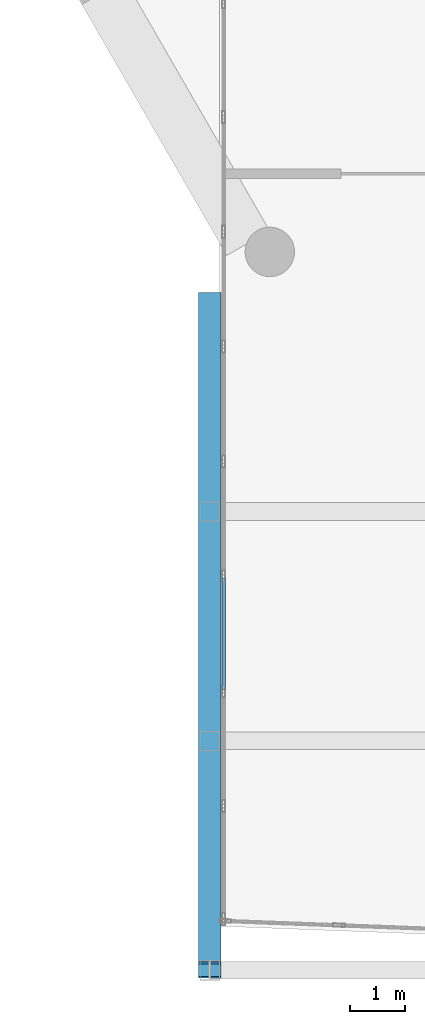
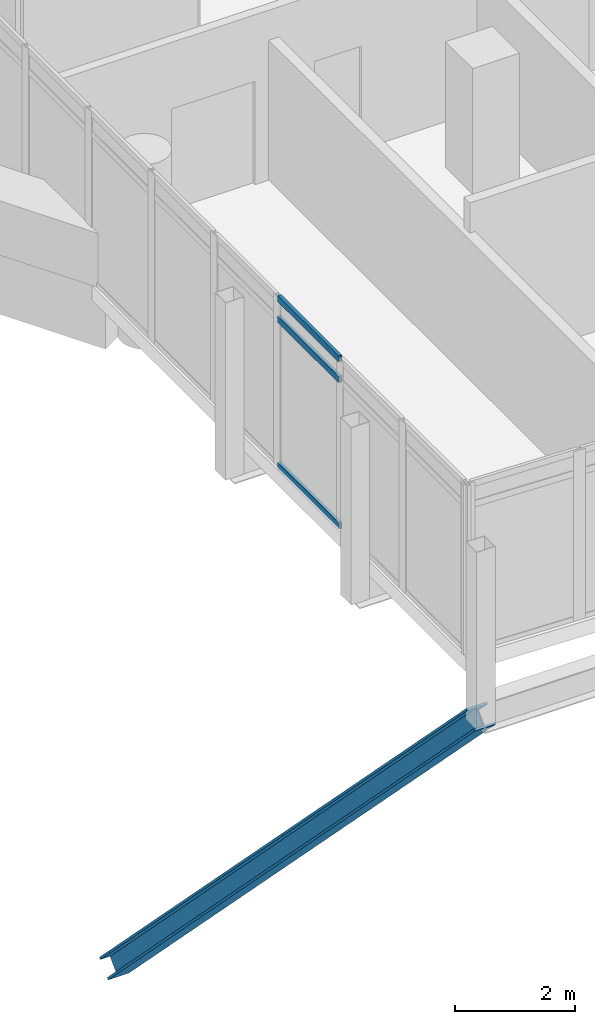
# One storey, part 3 of 34: 4 members, 1 element without a shape of its own.
"""IFC4 building model written with IfcOpenShell, lengths in metres."""

from ifc_helpers import new_model, si_unit, direction, frame, origin, origin_2d, place, context, subcontext, project, spatial, hollow_rectangle, i_section, extrude, material, material_profile, profile_set, type_object, element, aggregate, save


model = new_model("IFC4")

# Units and contexts
model_context = context("Model", 3, precision=1e-05, world=origin(), true_north=direction((0.0, 1.0)))
body_context = subcontext(model_context, "Body", "Model", "MODEL_VIEW")
ifc_project = project(units=[si_unit("LENGTHUNIT", "METRE"), si_unit("AREAUNIT", "SQUARE_METRE"), si_unit("VOLUMEUNIT", "CUBIC_METRE"), si_unit("PLANEANGLEUNIT", "RADIAN"), si_unit("MASSUNIT", "GRAM", prefix="KILO")], contexts=[model_context])

# Site, building, storey
site_placement = place(None, origin())
site = spatial("IfcSite", under=ifc_project, at=site_placement, CompositionType="ELEMENT")
building_placement = place(site_placement, origin())
building = spatial("IfcBuilding", under=site, at=building_placement, Name="Ostrander Bayou Hotel Tower", CompositionType="ELEMENT")
storey_placement = place(building_placement, frame((0.0, 0.0, 222.0)))
storey = spatial("IfcBuildingStorey", under=building, at=storey_placement, Name="L55", CompositionType="ELEMENT", Elevation=222.0)

# Curtain wall, members
ifc_material_1 = material(Name="Aluminium and clear glass", Category="aluminium")
curtain_wall_type = type_object("IfcCurtainWallType", Name="CW-BAR glazed wall", PredefinedType="NOTDEFINED", material=ifc_material_1)
curtain_wall_placement = place(storey_placement, origin())
curtain_wall = element("IfcCurtainWall", 1, at=curtain_wall_placement, inside=storey, type_object=curtain_wall_type, Name="CW-BAR L55:SB5S:E", PredefinedType="NOTDEFINED")
ifc_material_2 = material(Name="Aluminium", Category="aluminium")
ifc_material_profile_1 = material_profile(ifc_material_2, hollow_rectangle(XDim=0.06005859375, YDim=0.1298828125, WallThickness=0.00390625, at=origin_2d()))
ifc_profile_set_1 = profile_set([ifc_material_profile_1], Name="Aluminium")
member_type_1 = type_object("IfcMemberType", Name="CW-BR transom 60 x 130 mm", PredefinedType="USERDEFINED", material=ifc_profile_set_1)
member_1_placement = place(storey_placement, frame((-10.51220703125, -22.362548828125, 0.030029296875), z_axis=(0.0, -1.0, 0.0), x_axis=(1.0, 0.0, 0.0)))
member_1 = element("IfcMember", 2, at=member_1_placement, type_object=member_type_1, Name="CW-BAR transom 7.1", ObjectType="TRANSOM", PredefinedType="USERDEFINED", context=body_context, shape_type="SweptSolid", body=[
    extrude(hollow_rectangle(XDim=0.06005859375, YDim=0.1298828125, WallThickness=0.00390625, at=origin_2d()), origin(), (0.0, 0.0, 1.0), 2.030029296875),
])
member_2_placement = place(storey_placement, frame((-10.51220703125, -22.362548828125, 3.0), z_axis=(0.0, -1.0, 0.0), x_axis=(1.0, 0.0, 0.0)))
member_2 = element("IfcMember", 3, at=member_2_placement, type_object=member_type_1, Name="CW-BAR transom 7.2", ObjectType="TRANSOM", PredefinedType="USERDEFINED", context=body_context, shape_type="SweptSolid", body=[
    extrude(hollow_rectangle(XDim=0.06005859375, YDim=0.1298828125, WallThickness=0.00390625, at=origin_2d()), origin(), (0.0, 0.0, 1.0), 2.030029296875),
])
member_3_placement = place(storey_placement, frame((-10.51220703125, -22.362548828125, 3.419921875), z_axis=(0.0, -1.0, 0.0), x_axis=(1.0, 0.0, 0.0)))
member_3 = element("IfcMember", 4, at=member_3_placement, type_object=member_type_1, Name="CW-BAR transom 7.3", ObjectType="TRANSOM", PredefinedType="USERDEFINED", context=body_context, shape_type="SweptSolid", body=[
    extrude(hollow_rectangle(XDim=0.06005859375, YDim=0.1298828125, WallThickness=0.00390625, at=origin_2d()), origin(), (0.0, 0.0, 1.0), 2.030029296875),
])
aggregate(curtain_wall, [member_1, member_2, member_3])

# Member
ifc_material_3 = material(Name="Steel ASTM A992", Category="steel")
ifc_material_profile_2 = material_profile(ifc_material_3, i_section(OverallWidth=0.403564453125, OverallDepth=0.407470703125, WebThickness=0.027099609375, FlangeThickness=0.043701171875, at=origin_2d()))
ifc_profile_set_2 = profile_set([ifc_material_profile_2], Name="Steel ASTM A992")
member_type_2 = type_object("IfcMemberType", Name="TK2 bar kicker strut W14x233", PredefinedType="BRACE", material=ifc_profile_set_2)
member_4_placement = place(storey_placement, frame((-10.764892578125, -29.5, -0.6611328125), z_axis=(0.0, 0.699935732793, -0.714205831647), x_axis=(-1.0, 0.0, 0.0)))
element("IfcMember", 5, at=member_4_placement, inside=storey, type_object=member_type_2, Name="TK2 SB5SA kicker", PredefinedType="BRACE", context=body_context, shape_type="SweptSolid", body=[
    extrude(i_section(OverallWidth=0.403564453125, OverallDepth=0.407470703125, WebThickness=0.027099609375, FlangeThickness=0.043701171875, at=origin_2d()), origin(), (0.0, 0.0, 1.0), 17.41650390625),
])

save(model, "model.ifc")
